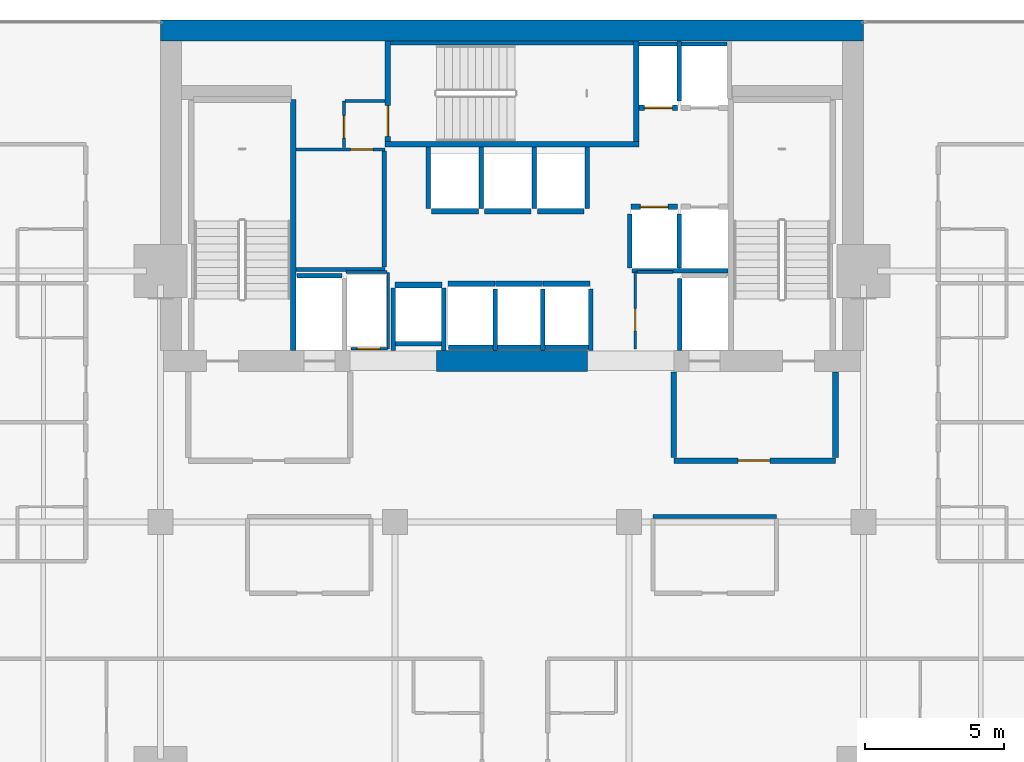
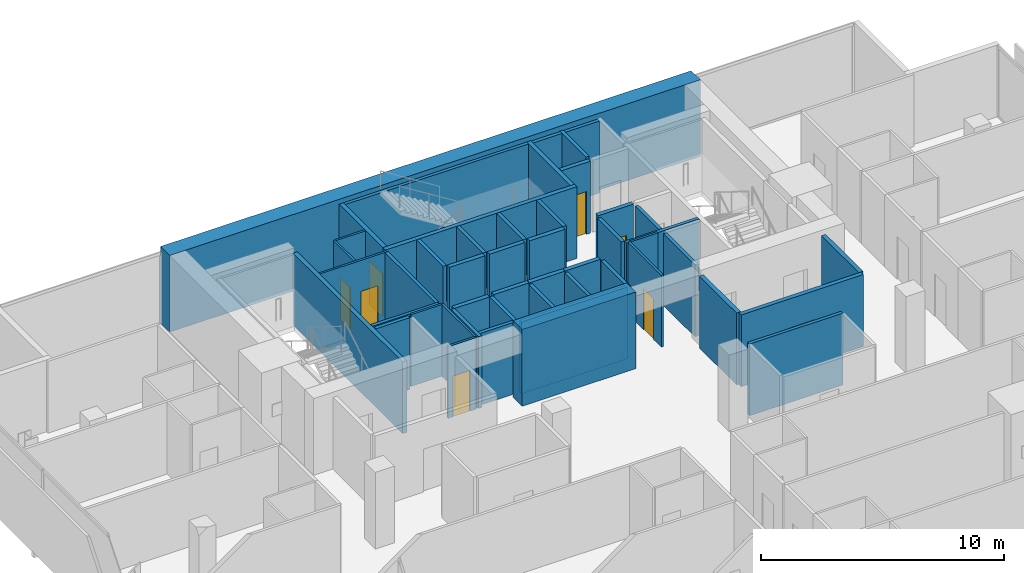
# One storey, part 30 of 34: 48 walls, 8 doors, 8 openings.
"""IFC4 building model written with IfcOpenShell, lengths in metres."""

from ifc_helpers import new_model, si_unit, direction, frame, frame_2d, origin, place, context, subcontext, project, spatial, rectangle, extrude, material, layer, layer_set, type_object, element, fill, save


model = new_model("IFC4")

# Units and contexts
model_context = context("Model", 3, precision=1e-05, world=origin(), true_north=direction((0.0, 1.0)))
body_context = subcontext(model_context, "Body", "Model", "MODEL_VIEW")
ifc_project = project(units=[si_unit("LENGTHUNIT", "METRE"), si_unit("AREAUNIT", "SQUARE_METRE"), si_unit("VOLUMEUNIT", "CUBIC_METRE"), si_unit("PLANEANGLEUNIT", "RADIAN"), si_unit("MASSUNIT", "GRAM", prefix="KILO")], contexts=[model_context])

# Site, building, storey
site_placement = place(None, origin())
site = spatial("IfcSite", under=ifc_project, at=site_placement, CompositionType="ELEMENT")
building_placement = place(site_placement, origin())
building = spatial("IfcBuilding", under=site, at=building_placement, Name="Maruvema Waterfront Hotel and Observation Tower", CompositionType="ELEMENT")
storey_placement = place(building_placement, frame((0.0, 0.0, 212.10009765625)))
storey = spatial("IfcBuildingStorey", under=building, at=storey_placement, Name="L52", CompositionType="ELEMENT", Elevation=212.10009765625)

# Walls
ifc_material_1 = material(Name="Twin-stud acoustic gypsum drywall", Category="gypsum")
ifc_layer_1 = layer(ifc_material_1, 0.14990234375, Name="Acoustic Corridor and Suite Demising Wall 150 mm")
ifc_layer_set_1 = layer_set([ifc_layer_1], Name="Twin-stud acoustic gypsum drywall")
wall_type_1 = type_object("IfcWallType", Name="Acoustic Corridor and Suite Demising Wall 150 mm", PredefinedType="PARTITIONING", material=ifc_layer_set_1)
wall_1_placement = place(storey_placement, frame((30.06005859375, 45.06005859375, 0.0), z_axis=(0.0, 0.0, 1.0), x_axis=(1.0, 0.0, 0.0)))
element("IfcWall", 1, at=wall_1_placement, inside=storey, type_object=wall_type_1, Name="L52 Freed B1 South Wall 012", PredefinedType="PARTITIONING", context=body_context, shape_type="SweptSolid", body=[
    extrude(rectangle(XDim=3.179931640625, YDim=0.14990234375, at=frame_2d((1.58984375, 0.0))), origin(), (0.0, 0.0, 1.0), 3.60986328125),
])
wall_2_placement = place(storey_placement, frame((33.219970703125, 45.139892578125, 0.0), z_axis=(0.0, 0.0, 1.0), x_axis=(0.0, 1.0, 0.0)))
element("IfcWall", 2, at=wall_2_placement, inside=storey, type_object=wall_type_1, Name="L52 Freed B1 East Wall 013", PredefinedType="PARTITIONING", context=body_context, shape_type="SweptSolid", body=[
    extrude(rectangle(XDim=4.16015625, YDim=0.14990234375, at=frame_2d((2.080078125, 0.0))), origin(), (0.0, 0.0, 1.0), 3.60986328125),
])
wall_3_placement = place(storey_placement, frame((42.85009765625, 36.199951171875, 0.0), z_axis=(0.0, 0.0, 1.0), x_axis=(1.0, 0.0, 0.0)))
element("IfcWall", 3, at=wall_3_placement, inside=storey, type_object=wall_type_1, Name="L52 L52-M2 Back Wall 021", PredefinedType="PARTITIONING", context=body_context, shape_type="SweptSolid", body=[
    extrude(rectangle(XDim=4.429931640625, YDim=0.14990234375, at=frame_2d((2.21484375, 0.0))), origin(), (0.0, 0.0, 1.0), 3.60986328125),
])
ifc_material_2 = material(Name="Precast concrete C45/55", Category="concrete")
ifc_layer_2 = layer(ifc_material_2, 0.14990234375, Name="Core Shaft Furring Wall 150 mm")
ifc_layer_set_2 = layer_set([ifc_layer_2], Name="Precast concrete C45/55")
wall_type_2 = type_object("IfcWallType", Name="Core Shaft Furring Wall 150 mm", PredefinedType="SOLIDWALL", material=ifc_layer_set_2)
wall_4_placement = place(storey_placement, frame((33.449951171875, 53.175048828125, 0.0), z_axis=(0.0, 0.0, 1.0), x_axis=(1.0, 0.0, 0.0)))
element("IfcWall", 4, at=wall_4_placement, inside=storey, type_object=wall_type_2, Name="L52 Stairwell ST-02 North Furring Wall", PredefinedType="SOLIDWALL", context=body_context, shape_type="SweptSolid", body=[
    extrude(rectangle(XDim=8.699951171875, YDim=0.14990234375, at=frame_2d((4.35009765625, 0.0))), origin(), (0.0, 0.0, 1.0), 3.60986328125),
])
ifc_material_3 = material(Name="Precast concrete C45/55", Category="concrete")
ifc_layer_3 = layer(ifc_material_3, 0.199951171875, Name="Core Shaft and Stairwell Enclosure Wall 200 mm")
ifc_layer_set_3 = layer_set([ifc_layer_3], Name="Precast concrete C45/55")
wall_type_3 = type_object("IfcWallType", Name="Core Shaft and Stairwell Enclosure Wall 200 mm", PredefinedType="SOLIDWALL", material=ifc_layer_set_3)
wall_5_placement = place(storey_placement, frame((29.949951171875, 42.14990234375, 0.0), z_axis=(0.0, 0.0, 1.0), x_axis=(0.0, 1.0, 0.0)))
element("IfcWall", 5, at=wall_5_placement, inside=storey, type_object=wall_type_3, Name="L52 Stairwell ST-01 East Shaft Wall", PredefinedType="SOLIDWALL", context=body_context, shape_type="SweptSolid", body=[
    extrude(rectangle(XDim=9.0, YDim=0.199951171875, at=frame_2d((4.5, 0.0))), origin(), (0.0, 0.0, 1.0), 3.60986328125),
])
wall_6_placement = place(storey_placement, frame((33.25, 49.550048828125, 0.0), z_axis=(0.0, 0.0, 1.0), x_axis=(1.0, 0.0, 0.0)))
element("IfcWall", 6, at=wall_6_placement, inside=storey, type_object=wall_type_3, Name="L52 Stairwell ST-02 Shaft Wall", PredefinedType="SOLIDWALL", context=body_context, shape_type="SweptSolid", body=[
    extrude(rectangle(XDim=9.10009765625, YDim=0.199951171875, at=frame_2d((4.550048828125, 0.0))), origin(), (0.0, 0.0, 1.0), 3.60986328125),
])
wall_7_placement = place(storey_placement, frame((42.25, 49.64990234375, 0.0), z_axis=(0.0, 0.0, 1.0), x_axis=(0.0, 1.0, 0.0)))
element("IfcWall", 7, at=wall_7_placement, inside=storey, type_object=wall_type_3, Name="L52 Stairwell ST-02 Shaft Wall", PredefinedType="SOLIDWALL", context=body_context, shape_type="SweptSolid", body=[
    extrude(rectangle(XDim=3.60009765625, YDim=0.199951171875, at=frame_2d((1.800048828125, 0.0))), origin(), (0.0, 0.0, 1.0), 3.60986328125),
])

# Wall, opening, door
wall_8_placement = place(storey_placement, frame((33.35009765625, 49.64990234375, 0.0), z_axis=(0.0, 0.0, 1.0), x_axis=(0.0, 1.0, 0.0)))
wall_8 = element("IfcWall", 8, at=wall_8_placement, inside=storey, type_object=wall_type_3, Name="L52 Stairwell ST-02 Shaft Wall", PredefinedType="SOLIDWALL", context=body_context, shape_type="SweptSolid", body=[
    extrude(rectangle(XDim=3.60009765625, YDim=0.199951171875, at=frame_2d((1.800048828125, 0.0))), origin(), (0.0, 0.0, 1.0), 3.60986328125),
])
opening_1_placement = place(wall_8_placement, frame((0.179931640625, 0.0, 0.0)))
opening_1 = element("IfcOpeningElement", 9, at=opening_1_placement, cuts=wall_8, Name="Opening SD-02", PredefinedType="OPENING", context=body_context, shape_type="SweptSolid", body=[
    extrude(rectangle(XDim=1.10009765625, YDim=2.14990234375, at=frame_2d((0.550048828125, 1.074951171875))), frame((0.0, 0.10986328125, 0.0), z_axis=(0.0, -1.0, 0.0), x_axis=(1.0, 0.0, 0.0)), (0.0, 0.0, 1.0), 0.219970703125),
])
ifc_material_4 = material(Name="Fire-rated galvanised steel leaf", Category="steel")
door_type_1 = type_object("IfcDoorType", Name="Central Exit Stair Fire Door 1100x2150 mm", OperationType="NOTDEFINED", PredefinedType="DOOR", material=ifc_material_4)
door_1_placement = place(opening_1_placement, frame((1.10009765625, 0.0, 0.0), z_axis=(0.0, 0.0, 1.0), x_axis=(-1.0, 0.0, 0.0)))
door_1 = element("IfcDoor", 10, at=door_1_placement, inside=storey, type_object=door_type_1, Name="L52 Exit Stair ST-02 Fire Door", OperationType="SINGLE_SWING_LEFT", OverallHeight=2.14990234375, OverallWidth=1.10009765625, PredefinedType="DOOR", context=body_context, shape_type="SweptSolid", body=[
    extrude(rectangle(XDim=1.10009765625, YDim=2.14990234375, at=frame_2d((0.550048828125, 1.074951171875))), frame((0.0, 0.02490234375, 0.0), z_axis=(0.0, -1.0, 0.0), x_axis=(1.0, 0.0, 0.0)), (0.0, 0.0, 1.0), 0.050048828125),
])
fill(opening_1, door_1)

wall_9_placement = place(storey_placement, frame((42.06005859375, 47.300048828125, 0.0), z_axis=(0.0, 0.0, 1.0), x_axis=(1.0, 0.0, 0.0)))
wall_9 = element("IfcWall", 11, at=wall_9_placement, inside=storey, type_object=wall_type_3, Name="L52 Lift LF-05 Hoistway Front Wall", PredefinedType="SOLIDWALL", context=body_context, shape_type="SweptSolid", body=[
    extrude(rectangle(XDim=1.679931640625, YDim=0.199951171875, at=frame_2d((0.83984375, 0.0))), origin(), (0.0, 0.0, 1.0), 3.60986328125),
])
opening_2_placement = place(wall_9_placement, frame((0.340087890625, 0.0, 0.0)))
opening_2 = element("IfcOpeningElement", 12, at=opening_2_placement, cuts=wall_9, Name="Opening LD-01", PredefinedType="OPENING", context=body_context, shape_type="SweptSolid", body=[
    extrude(rectangle(XDim=1.0, YDim=2.14990234375, at=frame_2d((0.5, 1.074951171875))), frame((0.0, 0.10986328125, 0.0), z_axis=(0.0, -1.0, 0.0), x_axis=(1.0, 0.0, 0.0)), (0.0, 0.0, 1.0), 0.219970703125),
])
ifc_material_5 = material(Name="Brushed stainless steel Grade 316", Category="steel")
door_type_2 = type_object("IfcDoorType", Name="Passenger Lift Sliding Landing Door 1000x2150 mm", OperationType="SLIDING_TO_LEFT", PredefinedType="DOOR", material=ifc_material_5)
door_2_placement = place(opening_2_placement, origin())
door_2 = element("IfcDoor", 13, at=door_2_placement, inside=storey, type_object=door_type_2, Name="L52 Lift LF-05 Sliding Landing Door", OperationType="SLIDING_TO_LEFT", OverallHeight=2.14990234375, OverallWidth=1.0, PredefinedType="DOOR", context=body_context, shape_type="SweptSolid", body=[
    extrude(rectangle(XDim=1.0, YDim=2.14990234375, at=frame_2d((0.5, 1.074951171875))), frame((0.0, 0.02490234375, 0.0), z_axis=(0.0, -1.0, 0.0), x_axis=(1.0, 0.0, 0.0)), (0.0, 0.0, 1.0), 0.050048828125),
])
fill(opening_2, door_2)

wall_10_placement = place(storey_placement, frame((42.360107421875, 50.85009765625, 0.0), z_axis=(0.0, 0.0, 1.0), x_axis=(1.0, 0.0, 0.0)))
wall_10 = element("IfcWall", 14, at=wall_10_placement, inside=storey, type_object=wall_type_3, Name="L52 Lift LF-07 Hoistway Front Wall", PredefinedType="SOLIDWALL", context=body_context, shape_type="SweptSolid", body=[
    extrude(rectangle(XDim=1.3798828125, YDim=0.199951171875, at=frame_2d((0.68994140625, 0.0))), origin(), (0.0, 0.0, 1.0), 3.60986328125),
])
opening_3_placement = place(wall_10_placement, frame((0.18994140625, 0.0, 0.0)))
opening_3 = element("IfcOpeningElement", 15, at=opening_3_placement, cuts=wall_10, Name="Opening LD-01", PredefinedType="OPENING", context=body_context, shape_type="SweptSolid", body=[
    extrude(rectangle(XDim=1.0, YDim=2.14990234375, at=frame_2d((0.5, 1.074951171875))), frame((0.0, 0.10986328125, 0.0), z_axis=(0.0, -1.0, 0.0), x_axis=(1.0, 0.0, 0.0)), (0.0, 0.0, 1.0), 0.219970703125),
])
door_3_placement = place(opening_3_placement, frame((1.0, 0.0, 0.0), z_axis=(0.0, 0.0, 1.0), x_axis=(-1.0, 0.0, 0.0)))
door_3 = element("IfcDoor", 16, at=door_3_placement, inside=storey, type_object=door_type_2, Name="L52 Lift LF-07 Sliding Landing Door", OperationType="SLIDING_TO_LEFT", OverallHeight=2.14990234375, OverallWidth=1.0, PredefinedType="DOOR", context=body_context, shape_type="SweptSolid", body=[
    extrude(rectangle(XDim=1.0, YDim=2.14990234375, at=frame_2d((0.5, 1.074951171875))), frame((0.0, 0.02490234375, 0.0), z_axis=(0.0, -1.0, 0.0), x_axis=(1.0, 0.0, 0.0)), (0.0, 0.0, 1.0), 0.050048828125),
])
fill(opening_3, door_3)

# Walls
for number, where, z_axis, x_axis, name in (
    (17, (35.510009765625, 44.550048828125, 0.0), (0.0, 0.0, 1.0), (1.0, 0.0, 0.0), "L52 Lift LF-09 Hoistway Front Wall"),
    (18, (37.2099609375, 44.550048828125, 0.0), (0.0, 0.0, 1.0), (1.0, 0.0, 0.0), "L52 Lift LF-10 Hoistway Front Wall"),
):
    element("IfcWall", number, at=place(storey_placement, frame(where, z_axis=z_axis, x_axis=x_axis)), inside=storey, type_object=wall_type_3, Name=name, PredefinedType="SOLIDWALL", context=body_context, shape_type="SweptSolid", body=[
        extrude(rectangle(XDim=1.679931640625, YDim=0.199951171875, at=frame_2d((0.83984375, 0.0))), origin(), (0.0, 0.0, 1.0), 3.60986328125),
    ])
for number, where, z_axis, x_axis, name in (
    (19, (38.909912109375, 44.550048828125, 0.0), (0.0, 0.0, 1.0), (1.0, 0.0, 0.0), "L52 Lift LF-11 Hoistway Front Wall"),
    (20, (34.909912109375, 47.14990234375, 0.0), (0.0, 0.0, 1.0), (1.0, 0.0, 0.0), "L52 Lift LF-12 Hoistway Front Wall"),
):
    element("IfcWall", number, at=place(storey_placement, frame(where, z_axis=z_axis, x_axis=x_axis)), inside=storey, type_object=wall_type_3, Name=name, PredefinedType="SOLIDWALL", context=body_context, shape_type="SweptSolid", body=[
        extrude(rectangle(XDim=1.68017578125, YDim=0.199951171875, at=frame_2d((0.840087890625, 0.0))), origin(), (0.0, 0.0, 1.0), 3.60986328125),
    ])
for number, where, z_axis, x_axis, name in (
    (21, (36.81005859375, 47.14990234375, 0.0), (0.0, 0.0, 1.0), (1.0, 0.0, 0.0), "L52 Lift LF-13 Hoistway Front Wall"),
    (22, (38.7099609375, 47.14990234375, 0.0), (0.0, 0.0, 1.0), (1.0, 0.0, 0.0), "L52 Lift LF-14 Hoistway Front Wall"),
    (23, (33.610107421875, 44.5, 0.0), (0.0, 0.0, 1.0), (1.0, 0.0, 0.0), "L52 Lift LF-15 Hoistway Front Wall"),
):
    element("IfcWall", number, at=place(storey_placement, frame(where, z_axis=z_axis, x_axis=x_axis)), inside=storey, type_object=wall_type_3, Name=name, PredefinedType="SOLIDWALL", context=body_context, shape_type="SweptSolid", body=[
        extrude(rectangle(XDim=1.679931640625, YDim=0.199951171875, at=frame_2d((0.83984375, 0.0))), origin(), (0.0, 0.0, 1.0), 3.60986328125),
    ])
ifc_material_6 = material(Name="Concrete C70/85", Category="concrete")
ifc_layer_4 = layer(ifc_material_6, 0.75, Name="Core Shear Wall 750 mm")
ifc_layer_set_4 = layer_set([ifc_layer_4], Name="Concrete C70/85")
wall_type_4 = type_object("IfcWallType", Name="Core Shear Wall 750 mm", PredefinedType="SHEAR", material=ifc_layer_set_4)
wall_11_placement = place(storey_placement, frame((25.199951171875, 53.625, 0.0), z_axis=(0.0, 0.0, 1.0), x_axis=(1.0, 0.0, 0.0)))
element("IfcWall", 24, at=wall_11_placement, inside=storey, type_object=wall_type_4, Name="L52 North Core Shear Wall", PredefinedType="SHEAR", context=body_context, shape_type="SweptSolid", body=[
    extrude(rectangle(XDim=25.199951171875, YDim=0.75, at=frame_2d((12.60009765625, 0.0))), origin(), (0.0, 0.0, 1.0), 3.849853515625),
])
wall_12_placement = place(storey_placement, frame((35.10009765625, 41.77490234375, 0.0), z_axis=(0.0, 0.0, 1.0), x_axis=(1.0, 0.0, 0.0)))
element("IfcWall", 25, at=wall_12_placement, inside=storey, type_object=wall_type_4, Name="L52 South-Central Core Shear Wall", PredefinedType="SHEAR", context=body_context, shape_type="SweptSolid", body=[
    extrude(rectangle(XDim=5.39990234375, YDim=0.75, at=frame_2d((2.699951171875, 0.0))), origin(), (0.0, 0.0, 1.0), 3.849853515625),
])

# Wall, opening, door
ifc_material_7 = material(Name="Moisture-resistant cement-board drywall", Category="gypsum")
ifc_layer_5 = layer(ifc_material_7, 0.10009765625, Name="En-Suite Moisture-Resistant Partition 100 mm")
ifc_layer_set_5 = layer_set([ifc_layer_5], Name="Moisture-resistant cement-board drywall")
wall_type_5 = type_object("IfcWallType", Name="En-Suite Moisture-Resistant Partition 100 mm", PredefinedType="PARTITIONING", material=ifc_layer_set_5)
wall_13_placement = place(storey_placement, frame((32.02001953125, 42.2099609375, 0.0), z_axis=(0.0, 0.0, 1.0), x_axis=(1.0, 0.0, 0.0)))
wall_13 = element("IfcWall", 26, at=wall_13_placement, inside=storey, type_object=wall_type_5, Name="L52 Telecom Riser South Wall 007", PredefinedType="PARTITIONING", context=body_context, shape_type="SweptSolid", body=[
    extrude(rectangle(XDim=1.320068359375, YDim=0.10009765625, at=frame_2d((0.66015625, 0.0))), origin(), (0.0, 0.0, 1.0), 3.60986328125),
])
opening_4_placement = place(wall_13_placement, frame((0.239990234375, 0.0, 0.0)))
opening_4 = element("IfcOpeningElement", 27, at=opening_4_placement, cuts=wall_13, Name="Opening DR-080", PredefinedType="OPENING", context=body_context, shape_type="SweptSolid", body=[
    extrude(rectangle(XDim=0.800048828125, YDim=2.050048828125, at=frame_2d((0.39990234375, 1.02490234375))), frame((0.0, 0.06005859375, 0.0), z_axis=(0.0, -1.0, 0.0), x_axis=(1.0, 0.0, 0.0)), (0.0, 0.0, 1.0), 0.1201171875),
])
ifc_material_8 = material(Name="Powder-coated steel access leaf", Category="steel")
door_type_3 = type_object("IfcDoorType", Name="Riser and Service Cupboard Door 800x2050 mm", OperationType="NOTDEFINED", PredefinedType="DOOR", material=ifc_material_8)
door_4_placement = place(opening_4_placement, frame((0.800048828125, 0.0, 0.0), z_axis=(0.0, 0.0, 1.0), x_axis=(-1.0, 0.0, 0.0)))
door_4 = element("IfcDoor", 28, at=door_4_placement, inside=storey, type_object=door_type_3, Name="L52 Telecom Riser Door", OperationType="SINGLE_SWING_LEFT", OverallHeight=2.050048828125, OverallWidth=0.800048828125, PredefinedType="DOOR", context=body_context, shape_type="SweptSolid", body=[
    extrude(rectangle(XDim=0.800048828125, YDim=2.050048828125, at=frame_2d((0.39990234375, 1.02490234375))), frame((0.0, 0.02490234375, 0.0), z_axis=(0.0, -1.0, 0.0), x_axis=(1.0, 0.0, 0.0)), (0.0, 0.0, 1.0), 0.050048828125),
])
fill(opening_4, door_4)

# Walls
wall_14_placement = place(storey_placement, frame((31.840087890625, 44.9599609375, 0.0), z_axis=(0.0, 0.0, 1.0), x_axis=(1.0, 0.0, 0.0)))
element("IfcWall", 29, at=wall_14_placement, inside=storey, type_object=wall_type_5, Name="L52 Telecom Riser North Wall 008", PredefinedType="PARTITIONING", context=body_context, shape_type="SweptSolid", body=[
    extrude(rectangle(XDim=1.47998046875, YDim=0.10009765625, at=frame_2d((0.739990234375, 0.0))), origin(), (0.0, 0.0, 1.0), 3.60986328125),
])
wall_15_placement = place(storey_placement, frame((33.360107421875, 42.2099609375, 0.0), z_axis=(0.0, 0.0, 1.0), x_axis=(0.0, 1.0, 0.0)))
element("IfcWall", 30, at=wall_15_placement, inside=storey, type_object=wall_type_5, Name="L52 Telecom Riser East Wall 009", PredefinedType="PARTITIONING", context=body_context, shape_type="SweptSolid", body=[
    extrude(rectangle(XDim=2.72998046875, YDim=0.10009765625, at=frame_2d((1.364990234375, 0.0))), origin(), (0.0, 0.0, 1.0), 3.60986328125),
])

# Wall, opening, door
wall_16_placement = place(storey_placement, frame((42.219970703125, 42.199951171875, 0.0), z_axis=(0.0, 0.0, 1.0), x_axis=(0.0, 1.0, 0.0)))
wall_16 = element("IfcWall", 31, at=wall_16_placement, inside=storey, type_object=wall_type_5, Name="L52 Core Closet K1 West 010", PredefinedType="PARTITIONING", context=body_context, shape_type="SweptSolid", body=[
    extrude(rectangle(XDim=2.760009765625, YDim=0.10009765625, at=frame_2d((1.3798828125, 0.0))), origin(), (0.0, 0.0, 1.0), 3.60986328125),
])
opening_5_placement = place(wall_16_placement, frame((0.64990234375, 0.0, 0.0)))
opening_5 = element("IfcOpeningElement", 32, at=opening_5_placement, cuts=wall_16, Name="Opening DR-080", PredefinedType="OPENING", context=body_context, shape_type="SweptSolid", body=[
    extrude(rectangle(XDim=0.800048828125, YDim=2.050048828125, at=frame_2d((0.39990234375, 1.02490234375))), frame((0.0, 0.06005859375, 0.0), z_axis=(0.0, -1.0, 0.0), x_axis=(1.0, 0.0, 0.0)), (0.0, 0.0, 1.0), 0.1201171875),
])
door_5_placement = place(opening_5_placement, frame((0.800048828125, 0.0, 0.0), z_axis=(0.0, 0.0, 1.0), x_axis=(-1.0, 0.0, 0.0)))
door_5 = element("IfcDoor", 33, at=door_5_placement, inside=storey, type_object=door_type_3, Name="L52 Core Cleaning Store Door", OperationType="SINGLE_SWING_RIGHT", OverallHeight=2.050048828125, OverallWidth=0.800048828125, PredefinedType="DOOR", context=body_context, shape_type="SweptSolid", body=[
    extrude(rectangle(XDim=0.800048828125, YDim=2.050048828125, at=frame_2d((0.39990234375, 1.02490234375))), frame((0.0, 0.02490234375, 0.0), z_axis=(0.0, -1.0, 0.0), x_axis=(1.0, 0.0, 0.0)), (0.0, 0.0, 1.0), 0.050048828125),
])
fill(opening_5, door_5)

# Wall
wall_17_placement = place(storey_placement, frame((42.280029296875, 44.9599609375, 0.0), z_axis=(0.0, 0.0, 1.0), x_axis=(1.0, 0.0, 0.0)))
element("IfcWall", 34, at=wall_17_placement, inside=storey, type_object=wall_type_5, Name="L52 Core Closet K1 North 011", PredefinedType="PARTITIONING", context=body_context, shape_type="SweptSolid", body=[
    extrude(rectangle(XDim=1.300048828125, YDim=0.10009765625, at=frame_2d((0.64990234375, 0.0))), origin(), (0.0, 0.0, 1.0), 3.60986328125),
])

# Wall, opening, door
wall_18_placement = place(storey_placement, frame((30.06005859375, 49.360107421875, 0.0), z_axis=(0.0, 0.0, 1.0), x_axis=(1.0, 0.0, 0.0)))
wall_18 = element("IfcWall", 35, at=wall_18_placement, inside=storey, type_object=wall_type_5, Name="L52 Freed B1 Mid Wall 014", PredefinedType="PARTITIONING", context=body_context, shape_type="SweptSolid", body=[
    extrude(rectangle(XDim=3.179931640625, YDim=0.10009765625, at=frame_2d((1.58984375, 0.0))), origin(), (0.0, 0.0, 1.0), 3.60986328125),
])
opening_6_placement = place(wall_18_placement, frame((1.949951171875, 0.0, 0.0)))
opening_6 = element("IfcOpeningElement", 36, at=opening_6_placement, cuts=wall_18, Name="Opening DR-080", PredefinedType="OPENING", context=body_context, shape_type="SweptSolid", body=[
    extrude(rectangle(XDim=0.800048828125, YDim=2.050048828125, at=frame_2d((0.39990234375, 1.02490234375))), frame((0.0, 0.06005859375, 0.0), z_axis=(0.0, -1.0, 0.0), x_axis=(1.0, 0.0, 0.0)), (0.0, 0.0, 1.0), 0.1201171875),
])
door_6_placement = place(opening_6_placement, origin())
door_6 = element("IfcDoor", 37, at=door_6_placement, inside=storey, type_object=door_type_3, Name="L52 Housekeeping and Linen Room Door", OperationType="SINGLE_SWING_LEFT", OverallHeight=2.050048828125, OverallWidth=0.800048828125, PredefinedType="DOOR", context=body_context, shape_type="SweptSolid", body=[
    extrude(rectangle(XDim=0.800048828125, YDim=2.050048828125, at=frame_2d((0.39990234375, 1.02490234375))), frame((0.0, 0.02490234375, 0.0), z_axis=(0.0, -1.0, 0.0), x_axis=(1.0, 0.0, 0.0)), (0.0, 0.0, 1.0), 0.050048828125),
])
fill(opening_6, door_6)

wall_19_placement = place(storey_placement, frame((31.780029296875, 49.419921875, 0.0), z_axis=(0.0, 0.0, 1.0), x_axis=(0.0, 1.0, 0.0)))
wall_19 = element("IfcWall", 38, at=wall_19_placement, inside=storey, type_object=wall_type_5, Name="L52 Freed B1 NW East Wall 015", PredefinedType="PARTITIONING", context=body_context, shape_type="SweptSolid", body=[
    extrude(rectangle(XDim=1.68017578125, YDim=0.10009765625, at=frame_2d((0.840087890625, 0.0))), origin(), (0.0, 0.0, 1.0), 3.60986328125),
])
opening_7_placement = place(wall_19_placement, frame((0.35009765625, 0.0, 0.0)))
opening_7 = element("IfcOpeningElement", 39, at=opening_7_placement, cuts=wall_19, Name="Opening DR-080", PredefinedType="OPENING", context=body_context, shape_type="SweptSolid", body=[
    extrude(rectangle(XDim=0.800048828125, YDim=2.050048828125, at=frame_2d((0.39990234375, 1.02490234375))), frame((0.0, 0.06005859375, 0.0), z_axis=(0.0, -1.0, 0.0), x_axis=(1.0, 0.0, 0.0)), (0.0, 0.0, 1.0), 0.1201171875),
])
door_7_placement = place(opening_7_placement, origin())
door_7 = element("IfcDoor", 40, at=door_7_placement, inside=storey, type_object=door_type_3, Name="L52 Guest Floor Pantry Door", OperationType="SINGLE_SWING_RIGHT", OverallHeight=2.050048828125, OverallWidth=0.800048828125, PredefinedType="DOOR", context=body_context, shape_type="SweptSolid", body=[
    extrude(rectangle(XDim=0.800048828125, YDim=2.050048828125, at=frame_2d((0.39990234375, 1.02490234375))), frame((0.0, 0.02490234375, 0.0), z_axis=(0.0, -1.0, 0.0), x_axis=(1.0, 0.0, 0.0)), (0.0, 0.0, 1.0), 0.050048828125),
])
fill(opening_7, door_7)

# Wall
wall_20_placement = place(storey_placement, frame((31.820068359375, 51.10009765625, 0.0), z_axis=(0.0, 0.0, 1.0), x_axis=(1.0, 0.0, 0.0)))
element("IfcWall", 41, at=wall_20_placement, inside=storey, type_object=wall_type_5, Name="L52 Freed B1 Vestibule North Wall 016", PredefinedType="PARTITIONING", context=body_context, shape_type="SweptSolid", body=[
    extrude(rectangle(XDim=1.419921875, YDim=0.10009765625, at=frame_2d((0.7099609375, 0.0))), origin(), (0.0, 0.0, 1.0), 3.60986328125),
])

# Wall, opening, door
ifc_material_9 = material(Name="Autoclaved cellular concrete blockwork", Category="masonry")
ifc_layer_6 = layer(ifc_material_9, 0.199951171875, Name="Fire Compartment Masonry Wall 200 mm")
ifc_layer_set_6 = layer_set([ifc_layer_6], Name="Autoclaved cellular concrete blockwork")
wall_type_6 = type_object("IfcWallType", Name="Fire Compartment Masonry Wall 200 mm", PredefinedType="PARTITIONING", material=ifc_layer_set_6)
wall_21_placement = place(storey_placement, frame((43.60009765625, 38.199951171875, 0.0), z_axis=(0.0, 0.0, 1.0), x_axis=(1.0, 0.0, 0.0)))
wall_21 = element("IfcWall", 42, at=wall_21_placement, inside=storey, type_object=wall_type_6, Name="L52 FFL East South Wall 004", PredefinedType="PARTITIONING", context=body_context, shape_type="SweptSolid", body=[
    extrude(rectangle(XDim=5.7998046875, YDim=0.199951171875, at=frame_2d((2.89990234375, 0.0))), origin(), (0.0, 0.0, 1.0), 3.60986328125),
])
opening_8_placement = place(wall_21_placement, frame((2.300048828125, 0.0, 0.0)))
opening_8 = element("IfcOpeningElement", 43, at=opening_8_placement, cuts=wall_21, Name="Opening FD-115", PredefinedType="OPENING", context=body_context, shape_type="SweptSolid", body=[
    extrude(rectangle(XDim=1.14990234375, YDim=2.14990234375, at=frame_2d((0.574951171875, 1.074951171875))), frame((0.0, 0.10986328125, 0.0), z_axis=(0.0, -1.0, 0.0), x_axis=(1.0, 0.0, 0.0)), (0.0, 0.0, 1.0), 0.219970703125),
])
ifc_material_10 = material(Name="Fire-rated galvanised steel and vision glass", Category="steel")
door_type_4 = type_object("IfcDoorType", Name="Firefighting Lobby Fire Door 1150x2150 mm", OperationType="NOTDEFINED", PredefinedType="DOOR", material=ifc_material_10)
door_8_placement = place(opening_8_placement, frame((1.14990234375, 0.0, 0.0), z_axis=(0.0, 0.0, 1.0), x_axis=(-1.0, 0.0, 0.0)))
door_8 = element("IfcDoor", 44, at=door_8_placement, inside=storey, type_object=door_type_4, Name="L52 Firefighting Lobby East Door", OperationType="SINGLE_SWING_RIGHT", OverallHeight=2.14990234375, OverallWidth=1.14990234375, PredefinedType="DOOR", context=body_context, shape_type="SweptSolid", body=[
    extrude(rectangle(XDim=1.14990234375, YDim=2.14990234375, at=frame_2d((0.574951171875, 1.074951171875))), frame((0.0, 0.02490234375, 0.0), z_axis=(0.0, -1.0, 0.0), x_axis=(1.0, 0.0, 0.0)), (0.0, 0.0, 1.0), 0.050048828125),
])
fill(opening_8, door_8)

# Walls
for number, where, z_axis, x_axis, name in (
    (45, (43.60009765625, 38.31005859375, 0.0), (0.0, 0.0, 1.0), (0.0, 1.0, 0.0), "L52 FFL East West Wall 005"),
    (46, (49.39990234375, 38.31005859375, 0.0), (0.0, 0.0, 1.0), (0.0, 1.0, 0.0), "L52 FFL East East Wall 006"),
):
    element("IfcWall", number, at=place(storey_placement, frame(where, z_axis=z_axis, x_axis=x_axis)), inside=storey, type_object=wall_type_6, Name=name, PredefinedType="PARTITIONING", context=body_context, shape_type="SweptSolid", body=[
        extrude(rectangle(XDim=3.06982421875, YDim=0.199951171875, at=frame_2d((1.534912109375, 0.0))), origin(), (0.0, 0.0, 1.0), 3.60986328125),
    ])
ifc_material_11 = material(Name="Precast concrete C45/55", Category="concrete")
ifc_layer_7 = layer(ifc_material_11, 0.159912109375, Name="Lift Hoistway Divider Wall 160 mm")
ifc_layer_set_7 = layer_set([ifc_layer_7], Name="Precast concrete C45/55")
wall_type_7 = type_object("IfcWallType", Name="Lift Hoistway Divider Wall 160 mm", PredefinedType="SOLIDWALL", material=ifc_layer_set_7)
wall_22_placement = place(storey_placement, frame((30.10009765625, 44.830078125, 0.0), z_axis=(0.0, 0.0, 1.0), x_axis=(1.0, 0.0, 0.0)))
element("IfcWall", 47, at=wall_22_placement, inside=storey, type_object=wall_type_7, Name="L52 Lift FL-01 Rear Hoistway Wall", PredefinedType="SOLIDWALL", context=body_context, shape_type="SweptSolid", body=[
    extrude(rectangle(XDim=1.599853515625, YDim=0.159912109375, at=frame_2d((0.7998046875, 0.0))), origin(), (0.0, 0.0, 1.0), 3.60986328125),
])
wall_23_placement = place(storey_placement, frame((43.820068359375, 42.14990234375, 0.0), z_axis=(0.0, 0.0, 1.0), x_axis=(0.0, 1.0, 0.0)))
element("IfcWall", 48, at=wall_23_placement, inside=storey, type_object=wall_type_7, Name="L52 Lift FL-02 Inner Hoistway Wall", PredefinedType="SOLIDWALL", context=body_context, shape_type="SweptSolid", body=[
    extrude(rectangle(XDim=2.590087890625, YDim=0.159912109375, at=frame_2d((1.294921875, 0.0))), origin(), (0.0, 0.0, 1.0), 3.60986328125),
])
for number, where, z_axis, x_axis, name in (
    (49, (42.02001953125, 45.10009765625, 0.0), (0.0, 0.0, 1.0), (0.0, 1.0, 0.0), "L52 Hoistway Divider Wall"),
    (50, (43.800048828125, 45.10009765625, 0.0), (0.0, 0.0, 1.0), (0.0, 1.0, 0.0), "L52 Hoistway Divider Wall"),
):
    element("IfcWall", number, at=place(storey_placement, frame(where, z_axis=z_axis, x_axis=x_axis)), inside=storey, type_object=wall_type_7, Name=name, PredefinedType="SOLIDWALL", context=body_context, shape_type="SweptSolid", body=[
        extrude(rectangle(XDim=1.949951171875, YDim=0.159912109375, at=frame_2d((0.97509765625, 0.0))), origin(), (0.0, 0.0, 1.0), 3.60986328125),
    ])
wall_24_placement = place(storey_placement, frame((42.10009765625, 45.010009765625, 0.0), z_axis=(0.0, 0.0, 1.0), x_axis=(1.0, 0.0, 0.0)))
element("IfcWall", 51, at=wall_24_placement, inside=storey, type_object=wall_type_7, Name="L52 Hoistway Divider Wall", PredefinedType="SOLIDWALL", context=body_context, shape_type="SweptSolid", body=[
    extrude(rectangle(XDim=3.449951171875, YDim=0.159912109375, at=frame_2d((1.72509765625, 0.0))), origin(), (0.0, 0.0, 1.0), 3.60986328125),
])
wall_25_placement = place(storey_placement, frame((43.800048828125, 51.10009765625, 0.0), z_axis=(0.0, 0.0, 1.0), x_axis=(0.0, 1.0, 0.0)))
element("IfcWall", 52, at=wall_25_placement, inside=storey, type_object=wall_type_7, Name="L52 Hoistway Divider Wall", PredefinedType="SOLIDWALL", context=body_context, shape_type="SweptSolid", body=[
    extrude(rectangle(XDim=2.14990234375, YDim=0.159912109375, at=frame_2d((1.074951171875, 0.0))), origin(), (0.0, 0.0, 1.0), 3.60986328125),
])
wall_26_placement = place(storey_placement, frame((42.360107421875, 53.139892578125, 0.0), z_axis=(0.0, 0.0, 1.0), x_axis=(1.0, 0.0, 0.0)))
element("IfcWall", 53, at=wall_26_placement, inside=storey, type_object=wall_type_7, Name="L52 Hoistway Divider Wall", PredefinedType="SOLIDWALL", context=body_context, shape_type="SweptSolid", body=[
    extrude(rectangle(XDim=3.139892578125, YDim=0.159912109375, at=frame_2d((1.56982421875, 0.0))), origin(), (0.0, 0.0, 1.0), 3.60986328125),
])
for number, where, z_axis, x_axis, name in (
    (54, (37.199951171875, 42.14990234375, 0.0), (0.0, 0.0, 1.0), (0.0, 1.0, 0.0), "L52 Hoistway Divider Wall"),
    (55, (38.89990234375, 42.14990234375, 0.0), (0.0, 0.0, 1.0), (0.0, 1.0, 0.0), "L52 Hoistway Divider Wall"),
    (56, (40.6201171875, 42.14990234375, 0.0), (0.0, 0.0, 1.0), (0.0, 1.0, 0.0), "L52 Hoistway Divider Wall"),
):
    element("IfcWall", number, at=place(storey_placement, frame(where, z_axis=z_axis, x_axis=x_axis)), inside=storey, type_object=wall_type_7, Name=name, PredefinedType="SOLIDWALL", context=body_context, shape_type="SweptSolid", body=[
        extrude(rectangle(XDim=2.2001953125, YDim=0.159912109375, at=frame_2d((1.10009765625, 0.0))), origin(), (0.0, 0.0, 1.0), 3.60986328125),
    ])
wall_27_placement = place(storey_placement, frame((35.52001953125, 42.260009765625, 0.0), z_axis=(0.0, 0.0, 1.0), x_axis=(1.0, 0.0, 0.0)))
element("IfcWall", 57, at=wall_27_placement, inside=storey, type_object=wall_type_7, Name="L52 Hoistway Divider Wall", PredefinedType="SOLIDWALL", context=body_context, shape_type="SweptSolid", body=[
    extrude(rectangle(XDim=5.02001953125, YDim=0.159912109375, at=frame_2d((2.510009765625, 0.0))), origin(), (0.0, 0.0, 1.0), 3.60986328125),
])
for number, where, z_axis, x_axis, name in (
    (58, (34.800048828125, 47.25, 0.0), (0.0, 0.0, 1.0), (0.0, 1.0, 0.0), "L52 Hoistway Divider Wall"),
    (59, (36.699951171875, 47.25, 0.0), (0.0, 0.0, 1.0), (0.0, 1.0, 0.0), "L52 Hoistway Divider Wall"),
    (60, (38.60009765625, 47.25, 0.0), (0.0, 0.0, 1.0), (0.0, 1.0, 0.0), "L52 Hoistway Divider Wall"),
    (61, (40.5, 47.25, 0.0), (0.0, 0.0, 1.0), (0.0, 1.0, 0.0), "L52 Hoistway Divider Wall"),
):
    element("IfcWall", number, at=place(storey_placement, frame(where, z_axis=z_axis, x_axis=x_axis)), inside=storey, type_object=wall_type_7, Name=name, PredefinedType="SOLIDWALL", context=body_context, shape_type="SweptSolid", body=[
        extrude(rectangle(XDim=2.18994140625, YDim=0.159912109375, at=frame_2d((1.094970703125, 0.0))), origin(), (0.0, 0.0, 1.0), 3.60986328125),
    ])
for number, where, z_axis, x_axis, name in (
    (62, (33.5400390625, 42.14990234375, 0.0), (0.0, 0.0, 1.0), (0.0, 1.0, 0.0), "L52 Hoistway Divider Wall"),
    (63, (35.360107421875, 42.14990234375, 0.0), (0.0, 0.0, 1.0), (0.0, 1.0, 0.0), "L52 Hoistway Divider Wall"),
):
    element("IfcWall", number, at=place(storey_placement, frame(where, z_axis=z_axis, x_axis=x_axis)), inside=storey, type_object=wall_type_7, Name=name, PredefinedType="SOLIDWALL", context=body_context, shape_type="SweptSolid", body=[
        extrude(rectangle(XDim=2.25, YDim=0.159912109375, at=frame_2d((1.125, 0.0))), origin(), (0.0, 0.0, 1.0), 3.60986328125),
    ])
wall_28_placement = place(storey_placement, frame((33.6201171875, 42.39990234375, 0.0), z_axis=(0.0, 0.0, 1.0), x_axis=(1.0, 0.0, 0.0)))
element("IfcWall", 64, at=wall_28_placement, inside=storey, type_object=wall_type_7, Name="L52 Hoistway Divider Wall", PredefinedType="SOLIDWALL", context=body_context, shape_type="SweptSolid", body=[
    extrude(rectangle(XDim=1.659912109375, YDim=0.159912109375, at=frame_2d((0.830078125, 0.0))), origin(), (0.0, 0.0, 1.0), 3.60986328125),
])

save(model, "model.ifc")
